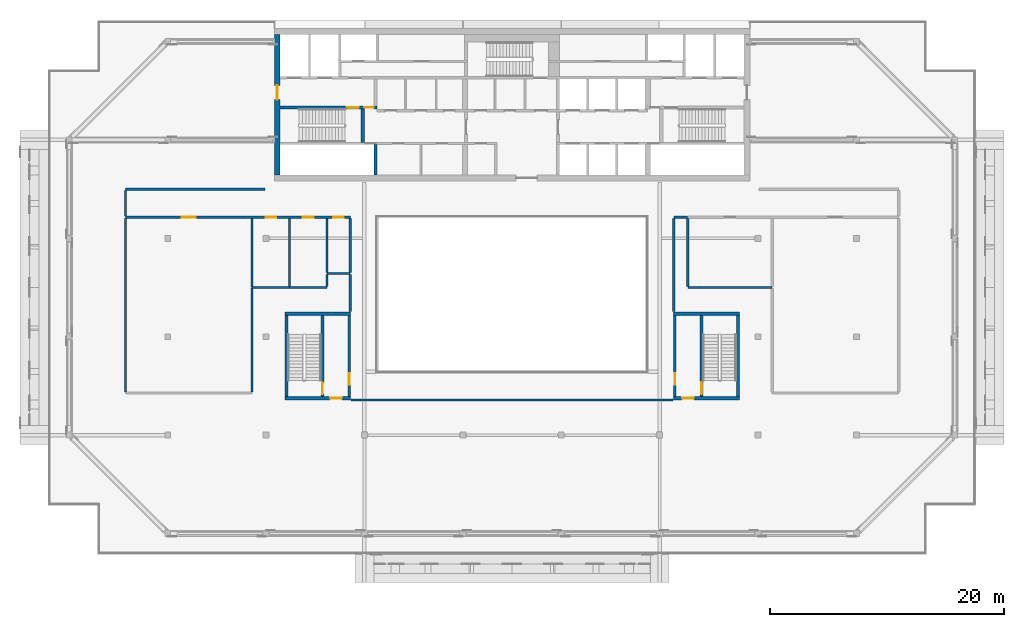
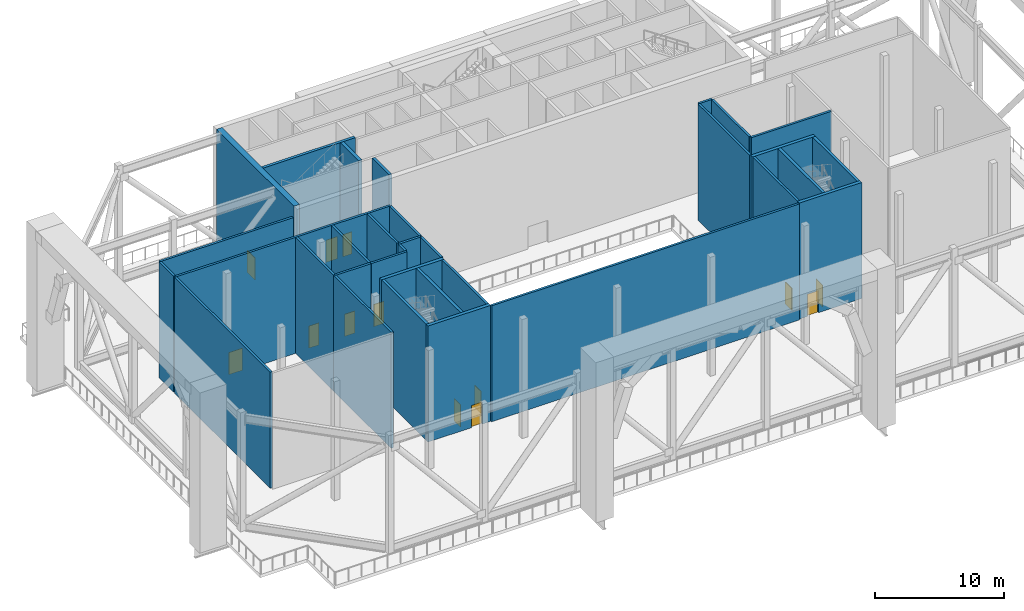
# One storey, part 4 of 20: 33 walls, 13 doors, 13 openings.
"""IFC4 building model written with IfcOpenShell, lengths in metres."""

from ifc_helpers import new_model, si_unit, direction, frame, frame_2d, origin, place, context, subcontext, project, spatial, rectangle, extrude, material, layer, layer_set, type_object, element, fill, save


model = new_model("IFC4")

# Units and contexts
model_context = context("Model", 3, precision=1e-05, world=origin(), true_north=direction((0.0, 1.0)))
body_context = subcontext(model_context, "Body", "Model", "MODEL_VIEW")
ifc_project = project(units=[si_unit("LENGTHUNIT", "METRE"), si_unit("AREAUNIT", "SQUARE_METRE"), si_unit("VOLUMEUNIT", "CUBIC_METRE"), si_unit("PLANEANGLEUNIT", "RADIAN"), si_unit("MASSUNIT", "GRAM", prefix="KILO")], contexts=[model_context])

# Site, building, storey
site_placement = place(None, origin())
site = spatial("IfcSite", under=ifc_project, at=site_placement, CompositionType="ELEMENT")
building_placement = place(site_placement, origin())
building = spatial("IfcBuilding", under=site, at=building_placement, Name="Saffron Gate Tower", CompositionType="ELEMENT")
storey_placement = place(building_placement, frame((0.0, 0.0, 252.300048828125)))
storey = spatial("IfcBuildingStorey", under=building, at=storey_placement, Name="L62", CompositionType="ELEMENT", Elevation=252.300048828125)

# Wall, opening, door
ifc_material_1 = material(Name="Gypsum board partition on steel studs", Category="steel")
ifc_layer_1 = layer(ifc_material_1, 0.199951171875)
ifc_layer_set_1 = layer_set([ifc_layer_1], Name="CW10 Core partition 200")
wall_type_1 = type_object("IfcWallType", Name="CW10 Core partition 200", PredefinedType="PARTITIONING", material=ifc_layer_set_1)
wall_1_placement = place(storey_placement, frame((73.699951171875, 43.5, 0.0), z_axis=(0.0, 0.0, 1.0), x_axis=(0.0, 1.0, 0.0)))
wall_1 = element("IfcWall", 1, at=wall_1_placement, inside=storey, type_object=wall_type_1, Name="Wall CW10-L62-D-4", PredefinedType="PARTITIONING", context=body_context, shape_type="SweptSolid", body=[
    extrude(rectangle(XDim=6.89990234375, YDim=0.199951171875, at=frame_2d((3.449951171875, 0.0))), origin(), (0.0, 0.0, 1.0), 10.969970703125),
])
opening_1_placement = place(wall_1_placement, frame((1.0, 0.0, 0.0)))
opening_1 = element("IfcOpeningElement", 2, at=opening_1_placement, cuts=wall_1, Name="Opening CR-19", PredefinedType="OPENING", context=body_context, shape_type="SweptSolid", body=[
    extrude(rectangle(XDim=1.0, YDim=2.10009765625, at=frame_2d((0.5, 1.050048828125))), frame((0.0, 0.10986328125, 0.0), z_axis=(0.0, -1.0, 0.0), x_axis=(1.0, 0.0, 0.0)), (0.0, 0.0, 1.0), 0.219970703125),
])
ifc_material_2 = material(Name="Steel fire door set", Category="steel")
door_type_1 = type_object("IfcDoorType", Name="CD4 Lobby door 1000x2100 EI 120", OperationType="NOTDEFINED", PredefinedType="DOOR", material=ifc_material_2)
door_1_placement = place(opening_1_placement, origin())
door_1 = element("IfcDoor", 3, at=door_1_placement, inside=storey, type_object=door_type_1, Name="DOOR CR-19", OperationType="SINGLE_SWING_RIGHT", OverallHeight=2.10009765625, OverallWidth=1.0, PredefinedType="DOOR", context=body_context, shape_type="SweptSolid", body=[
    extrude(rectangle(XDim=1.0, YDim=2.10009765625, at=frame_2d((0.5, 1.050048828125))), frame((0.0, 0.02490234375, 0.0), z_axis=(0.0, -1.0, 0.0), x_axis=(1.0, 0.0, 0.0)), (0.0, 0.0, 1.0), 0.050048828125),
])
fill(opening_1, door_1)

wall_2_placement = place(storey_placement, frame((101.5, 43.5, 0.0), z_axis=(0.0, 0.0, 1.0), x_axis=(0.0, 1.0, 0.0)))
wall_2 = element("IfcWall", 4, at=wall_2_placement, inside=storey, type_object=wall_type_1, Name="Wall CW10-L62-E-2", PredefinedType="PARTITIONING", context=body_context, shape_type="SweptSolid", body=[
    extrude(rectangle(XDim=6.89990234375, YDim=0.199951171875, at=frame_2d((3.449951171875, 0.0))), origin(), (0.0, 0.0, 1.0), 10.969970703125),
])
opening_2_placement = place(wall_2_placement, frame((1.0, 0.0, 0.0)))
opening_2 = element("IfcOpeningElement", 5, at=opening_2_placement, cuts=wall_2, Name="Opening CR-22", PredefinedType="OPENING", context=body_context, shape_type="SweptSolid", body=[
    extrude(rectangle(XDim=1.0, YDim=2.10009765625, at=frame_2d((0.5, 1.050048828125))), frame((0.0, 0.10986328125, 0.0), z_axis=(0.0, -1.0, 0.0), x_axis=(1.0, 0.0, 0.0)), (0.0, 0.0, 1.0), 0.219970703125),
])
door_2_placement = place(opening_2_placement, origin())
door_2 = element("IfcDoor", 6, at=door_2_placement, inside=storey, type_object=door_type_1, Name="DOOR CR-22", OperationType="SINGLE_SWING_LEFT", OverallHeight=2.10009765625, OverallWidth=1.0, PredefinedType="DOOR", context=body_context, shape_type="SweptSolid", body=[
    extrude(rectangle(XDim=1.0, YDim=2.10009765625, at=frame_2d((0.5, 1.050048828125))), frame((0.0, 0.02490234375, 0.0), z_axis=(0.0, -1.0, 0.0), x_axis=(1.0, 0.0, 0.0)), (0.0, 0.0, 1.0), 0.050048828125),
])
fill(opening_2, door_2)

ifc_material_3 = material(Name="Concrete C50", Category="concrete")
ifc_layer_2 = layer(ifc_material_3, 0.5)
ifc_layer_set_2 = layer_set([ifc_layer_2], Name="CW22 RC core wall 500 C50")
wall_type_2 = type_object("IfcWallType", Name="CW22 RC core wall 500 C50", PredefinedType="SOLIDWALL", material=ifc_layer_set_2)
wall_3_placement = place(storey_placement, frame((67.550048828125, 62.39990234375, 0.0), z_axis=(0.0, 0.0, 1.0), x_axis=(0.0, 1.0, 0.0)))
wall_3 = element("IfcWall", 7, at=wall_3_placement, inside=storey, type_object=wall_type_2, Name="Wall CW22-L62-3", PredefinedType="SOLIDWALL", context=body_context, shape_type="SweptSolid", body=[
    extrude(rectangle(XDim=12.0, YDim=0.5, at=frame_2d((6.0, 0.0))), origin(), (0.0, 0.0, 1.0), 10.969970703125),
])
opening_3_placement = place(wall_3_placement, frame((6.449951171875, 0.0, 0.0)))
opening_3 = element("IfcOpeningElement", 8, at=opening_3_placement, cuts=wall_3, Name="Opening CR-10", PredefinedType="OPENING", context=body_context, shape_type="SweptSolid", body=[
    extrude(rectangle(XDim=1.199951171875, YDim=2.10009765625, at=frame_2d((0.60009765625, 1.050048828125))), frame((0.0, 0.260009765625, 0.0), z_axis=(0.0, -1.0, 0.0), x_axis=(1.0, 0.0, 0.0)), (0.0, 0.0, 1.0), 0.52001953125),
])
door_type_2 = type_object("IfcDoorType", Name="CD7 Core entrance door 1200x2100 EI 120", OperationType="NOTDEFINED", PredefinedType="DOOR", material=ifc_material_2)
door_3_placement = place(opening_3_placement, origin())
door_3 = element("IfcDoor", 9, at=door_3_placement, inside=storey, type_object=door_type_2, Name="DOOR CR-10", OperationType="SINGLE_SWING_LEFT", OverallHeight=2.10009765625, OverallWidth=1.199951171875, PredefinedType="DOOR", context=body_context, shape_type="SweptSolid", body=[
    extrude(rectangle(XDim=1.199951171875, YDim=2.10009765625, at=frame_2d((0.60009765625, 1.050048828125))), frame((0.0, 0.02490234375, 0.0), z_axis=(0.0, -1.0, 0.0), x_axis=(1.0, 0.0, 0.0)), (0.0, 0.0, 1.0), 0.050048828125),
])
fill(opening_3, door_3)

# Wall
ifc_layer_3 = layer(ifc_material_3, 0.25)
ifc_layer_set_3 = layer_set([ifc_layer_3], Name="CW23 RC core wall 250 C50")
wall_type_3 = type_object("IfcWallType", Name="CW23 RC core wall 250 C50", PredefinedType="SOLIDWALL", material=ifc_layer_set_3)
wall_4_placement = place(storey_placement, frame((75.925048828125, 62.39990234375, 0.0), z_axis=(0.0, 0.0, 1.0), x_axis=(0.0, 1.0, 0.0)))
element("IfcWall", 10, at=wall_4_placement, inside=storey, type_object=wall_type_3, Name="Wall CW23-L62-5", PredefinedType="SOLIDWALL", context=body_context, shape_type="SweptSolid", body=[
    extrude(rectangle(XDim=2.60009765625, YDim=0.25, at=frame_2d((1.300048828125, 0.0))), origin(), (0.0, 0.0, 1.0), 10.969970703125),
])

# Wall, openings, doors
wall_5_placement = place(storey_placement, frame((67.800048828125, 68.175048828125, 0.0), z_axis=(0.0, 0.0, 1.0), x_axis=(1.0, 0.0, 0.0)))
wall_5 = element("IfcWall", 11, at=wall_5_placement, inside=storey, type_object=wall_type_3, Name="Wall CW23-L62-29", PredefinedType="SOLIDWALL", context=body_context, shape_type="SweptSolid", body=[
    extrude(rectangle(XDim=8.25, YDim=0.25, at=frame_2d((4.125, 0.0))), origin(), (0.0, 0.0, 1.0), 10.969970703125),
])
opening_4_placement = place(wall_5_placement, frame((5.699951171875, 0.0, 0.0)))
opening_4 = element("IfcOpeningElement", 12, at=opening_4_placement, cuts=wall_5, Name="Opening CR-15", PredefinedType="OPENING", context=body_context, shape_type="SweptSolid", body=[
    extrude(rectangle(XDim=1.0, YDim=2.10009765625, at=frame_2d((0.5, 1.050048828125))), frame((0.0, 0.135009765625, 0.0), z_axis=(0.0, -1.0, 0.0), x_axis=(1.0, 0.0, 0.0)), (0.0, 0.0, 1.0), 0.27001953125),
])
opening_5_placement = place(wall_5_placement, frame((7.199951171875, 0.0, 0.0)))
opening_5 = element("IfcOpeningElement", 13, at=opening_5_placement, cuts=wall_5, Name="Opening CR-06", PredefinedType="OPENING", context=body_context, shape_type="SweptSolid", body=[
    extrude(rectangle(XDim=0.800048828125, YDim=2.10009765625, at=frame_2d((0.39990234375, 1.050048828125))), frame((0.0, 0.135009765625, 0.0), z_axis=(0.0, -1.0, 0.0), x_axis=(1.0, 0.0, 0.0)), (0.0, 0.0, 1.0), 0.27001953125),
])
door_type_3 = type_object("IfcDoorType", Name="CD5 Stair door 1000x2100 EI 120", OperationType="NOTDEFINED", PredefinedType="DOOR", material=ifc_material_2)
door_4_placement = place(opening_4_placement, origin())
door_4 = element("IfcDoor", 14, at=door_4_placement, inside=storey, type_object=door_type_3, Name="DOOR CR-15", OperationType="SINGLE_SWING_RIGHT", OverallHeight=2.10009765625, OverallWidth=1.0, PredefinedType="DOOR", context=body_context, shape_type="SweptSolid", body=[
    extrude(rectangle(XDim=1.0, YDim=2.10009765625, at=frame_2d((0.5, 1.050048828125))), frame((0.0, 0.02490234375, 0.0), z_axis=(0.0, -1.0, 0.0), x_axis=(1.0, 0.0, 0.0)), (0.0, 0.0, 1.0), 0.050048828125),
])
fill(opening_4, door_4)
door_type_4 = type_object("IfcDoorType", Name="CD6 Lobby door 800x2100 EI 120", OperationType="NOTDEFINED", PredefinedType="DOOR", material=ifc_material_2)
door_5_placement = place(opening_5_placement, origin())
door_5 = element("IfcDoor", 15, at=door_5_placement, inside=storey, type_object=door_type_4, Name="DOOR CR-06", OperationType="SINGLE_SWING_LEFT", OverallHeight=2.10009765625, OverallWidth=0.800048828125, PredefinedType="DOOR", context=body_context, shape_type="SweptSolid", body=[
    extrude(rectangle(XDim=0.800048828125, YDim=2.10009765625, at=frame_2d((0.39990234375, 1.050048828125))), frame((0.0, 0.02490234375, 0.0), z_axis=(0.0, -1.0, 0.0), x_axis=(1.0, 0.0, 0.0)), (0.0, 0.0, 1.0), 0.050048828125),
])
fill(opening_5, door_5)

# Wall
wall_6_placement = place(storey_placement, frame((68.324951171875, 43.5, 0.0), z_axis=(0.0, 0.0, 1.0), x_axis=(0.0, 1.0, 0.0)))
element("IfcWall", 16, at=wall_6_placement, inside=storey, type_object=wall_type_3, Name="Wall CW23-L62-D-2", PredefinedType="SOLIDWALL", context=body_context, shape_type="SweptSolid", body=[
    extrude(rectangle(XDim=6.89990234375, YDim=0.25, at=frame_2d((3.449951171875, 0.0))), origin(), (0.0, 0.0, 1.0), 10.969970703125),
])

# Wall, opening, door
wall_7_placement = place(storey_placement, frame((71.425048828125, 43.5, 0.0), z_axis=(0.0, 0.0, 1.0), x_axis=(0.0, 1.0, 0.0)))
wall_7 = element("IfcWall", 17, at=wall_7_placement, inside=storey, type_object=wall_type_3, Name="Wall CW23-L62-D-3", PredefinedType="SOLIDWALL", context=body_context, shape_type="SweptSolid", body=[
    extrude(rectangle(XDim=6.89990234375, YDim=0.25, at=frame_2d((3.449951171875, 0.0))), origin(), (0.0, 0.0, 1.0), 10.969970703125),
])
opening_6_placement = place(wall_7_placement, frame((0.199951171875, 0.0, 0.0)))
opening_6 = element("IfcOpeningElement", 18, at=opening_6_placement, cuts=wall_7, Name="Opening CR-20", PredefinedType="OPENING", context=body_context, shape_type="SweptSolid", body=[
    extrude(rectangle(XDim=1.0, YDim=2.10009765625, at=frame_2d((0.5, 1.050048828125))), frame((0.0, 0.135009765625, 0.0), z_axis=(0.0, -1.0, 0.0), x_axis=(1.0, 0.0, 0.0)), (0.0, 0.0, 1.0), 0.27001953125),
])
door_6_placement = place(opening_6_placement, origin())
door_6 = element("IfcDoor", 19, at=door_6_placement, inside=storey, type_object=door_type_3, Name="DOOR CR-20", OperationType="SINGLE_SWING_LEFT", OverallHeight=2.10009765625, OverallWidth=1.0, PredefinedType="DOOR", context=body_context, shape_type="SweptSolid", body=[
    extrude(rectangle(XDim=1.0, YDim=2.10009765625, at=frame_2d((0.5, 1.050048828125))), frame((0.0, 0.02490234375, 0.0), z_axis=(0.0, -1.0, 0.0), x_axis=(1.0, 0.0, 0.0)), (0.0, 0.0, 1.0), 0.050048828125),
])
fill(opening_6, door_6)

wall_8_placement = place(storey_placement, frame((103.77490234375, 43.5, 0.0), z_axis=(0.0, 0.0, 1.0), x_axis=(0.0, 1.0, 0.0)))
wall_8 = element("IfcWall", 20, at=wall_8_placement, inside=storey, type_object=wall_type_3, Name="Wall CW23-L62-E-3", PredefinedType="SOLIDWALL", context=body_context, shape_type="SweptSolid", body=[
    extrude(rectangle(XDim=6.89990234375, YDim=0.25, at=frame_2d((3.449951171875, 0.0))), origin(), (0.0, 0.0, 1.0), 10.969970703125),
])
opening_7_placement = place(wall_8_placement, frame((0.199951171875, 0.0, 0.0)))
opening_7 = element("IfcOpeningElement", 21, at=opening_7_placement, cuts=wall_8, Name="Opening CR-23", PredefinedType="OPENING", context=body_context, shape_type="SweptSolid", body=[
    extrude(rectangle(XDim=1.0, YDim=2.10009765625, at=frame_2d((0.5, 1.050048828125))), frame((0.0, 0.135009765625, 0.0), z_axis=(0.0, -1.0, 0.0), x_axis=(1.0, 0.0, 0.0)), (0.0, 0.0, 1.0), 0.27001953125),
])
door_7_placement = place(opening_7_placement, origin())
door_7 = element("IfcDoor", 22, at=door_7_placement, inside=storey, type_object=door_type_3, Name="DOOR CR-23", OperationType="SINGLE_SWING_RIGHT", OverallHeight=2.10009765625, OverallWidth=1.0, PredefinedType="DOOR", context=body_context, shape_type="SweptSolid", body=[
    extrude(rectangle(XDim=1.0, YDim=2.10009765625, at=frame_2d((0.5, 1.050048828125))), frame((0.0, 0.02490234375, 0.0), z_axis=(0.0, -1.0, 0.0), x_axis=(1.0, 0.0, 0.0)), (0.0, 0.0, 1.0), 0.050048828125),
])
fill(opening_7, door_7)

# Walls
wall_9_placement = place(storey_placement, frame((106.875, 43.5, 0.0), z_axis=(0.0, 0.0, 1.0), x_axis=(0.0, 1.0, 0.0)))
element("IfcWall", 23, at=wall_9_placement, inside=storey, type_object=wall_type_3, Name="Wall CW23-L62-E-4", PredefinedType="SOLIDWALL", context=body_context, shape_type="SweptSolid", body=[
    extrude(rectangle(XDim=6.89990234375, YDim=0.25, at=frame_2d((3.449951171875, 0.0))), origin(), (0.0, 0.0, 1.0), 10.969970703125),
])
ifc_layer_4 = layer(ifc_material_3, 0.300048828125)
ifc_layer_set_4 = layer_set([ifc_layer_4], Name="CW26 RC core wall 300 C50")
wall_type_4 = type_object("IfcWallType", Name="CW26 RC core wall 300 C50", PredefinedType="SOLIDWALL", material=ifc_layer_set_4)
wall_10_placement = place(storey_placement, frame((74.85009765625, 65.199951171875, 0.0), z_axis=(0.0, 0.0, 1.0), x_axis=(0.0, 1.0, 0.0)))
element("IfcWall", 24, at=wall_10_placement, inside=storey, type_object=wall_type_4, Name="Wall CW26-L62-15", PredefinedType="SOLIDWALL", context=body_context, shape_type="SweptSolid", body=[
    extrude(rectangle(XDim=2.85009765625, YDim=0.300048828125, at=frame_2d((1.425048828125, 0.0))), origin(), (0.0, 0.0, 1.0), 10.969970703125),
])

# Wall, opening, door
wall_11_placement = place(storey_placement, frame((68.199951171875, 43.35009765625, 0.0), z_axis=(0.0, 0.0, 1.0), x_axis=(1.0, 0.0, 0.0)))
wall_11 = element("IfcWall", 25, at=wall_11_placement, inside=storey, type_object=wall_type_4, Name="Wall CW26-L62-D-1", PredefinedType="SOLIDWALL", context=body_context, shape_type="SweptSolid", body=[
    extrude(rectangle(XDim=5.60009765625, YDim=0.300048828125, at=frame_2d((2.800048828125, 0.0))), origin(), (0.0, 0.0, 1.0), 10.969970703125),
])
opening_8_placement = place(wall_11_placement, frame((3.875, 0.0, 0.0)))
opening_8 = element("IfcOpeningElement", 26, at=opening_8_placement, cuts=wall_11, Name="Opening CR-18", PredefinedType="OPENING", context=body_context, shape_type="SweptSolid", body=[
    extrude(rectangle(XDim=1.0, YDim=2.10009765625, at=frame_2d((0.5, 1.050048828125))), frame((0.0, 0.16015625, 0.0), z_axis=(0.0, -1.0, 0.0), x_axis=(1.0, 0.0, 0.0)), (0.0, 0.0, 1.0), 0.320068359375),
])
door_8_placement = place(opening_8_placement, origin())
door_8 = element("IfcDoor", 27, at=door_8_placement, inside=storey, type_object=door_type_1, Name="DOOR CR-18", OperationType="SINGLE_SWING_RIGHT", OverallHeight=2.10009765625, OverallWidth=1.0, PredefinedType="DOOR", context=body_context, shape_type="SweptSolid", body=[
    extrude(rectangle(XDim=1.0, YDim=2.10009765625, at=frame_2d((0.5, 1.050048828125))), frame((0.0, 0.02490234375, 0.0), z_axis=(0.0, -1.0, 0.0), x_axis=(1.0, 0.0, 0.0)), (0.0, 0.0, 1.0), 0.050048828125),
])
fill(opening_8, door_8)

# Wall
wall_12_placement = place(storey_placement, frame((68.199951171875, 50.550048828125, 0.0), z_axis=(0.0, 0.0, 1.0), x_axis=(1.0, 0.0, 0.0)))
element("IfcWall", 28, at=wall_12_placement, inside=storey, type_object=wall_type_4, Name="Wall CW26-L62-D-5", PredefinedType="SOLIDWALL", context=body_context, shape_type="SweptSolid", body=[
    extrude(rectangle(XDim=5.60009765625, YDim=0.300048828125, at=frame_2d((2.800048828125, 0.0))), origin(), (0.0, 0.0, 1.0), 10.969970703125),
])

# Wall, opening, door
wall_13_placement = place(storey_placement, frame((101.39990234375, 43.35009765625, 0.0), z_axis=(0.0, 0.0, 1.0), x_axis=(1.0, 0.0, 0.0)))
wall_13 = element("IfcWall", 29, at=wall_13_placement, inside=storey, type_object=wall_type_4, Name="Wall CW26-L62-E-1", PredefinedType="SOLIDWALL", context=body_context, shape_type="SweptSolid", body=[
    extrude(rectangle(XDim=5.60009765625, YDim=0.300048828125, at=frame_2d((2.800048828125, 0.0))), origin(), (0.0, 0.0, 1.0), 10.969970703125),
])
opening_9_placement = place(wall_13_placement, frame((0.72509765625, 0.0, 0.0)))
opening_9 = element("IfcOpeningElement", 30, at=opening_9_placement, cuts=wall_13, Name="Opening CR-21", PredefinedType="OPENING", context=body_context, shape_type="SweptSolid", body=[
    extrude(rectangle(XDim=1.0, YDim=2.10009765625, at=frame_2d((0.5, 1.050048828125))), frame((0.0, 0.16015625, 0.0), z_axis=(0.0, -1.0, 0.0), x_axis=(1.0, 0.0, 0.0)), (0.0, 0.0, 1.0), 0.320068359375),
])
door_9_placement = place(opening_9_placement, origin())
door_9 = element("IfcDoor", 31, at=door_9_placement, inside=storey, type_object=door_type_1, Name="DOOR CR-21", OperationType="SINGLE_SWING_RIGHT", OverallHeight=2.10009765625, OverallWidth=1.0, PredefinedType="DOOR", context=body_context, shape_type="SweptSolid", body=[
    extrude(rectangle(XDim=1.0, YDim=2.10009765625, at=frame_2d((0.5, 1.050048828125))), frame((0.0, 0.02490234375, 0.0), z_axis=(0.0, -1.0, 0.0), x_axis=(1.0, 0.0, 0.0)), (0.0, 0.0, 1.0), 0.050048828125),
])
fill(opening_9, door_9)

# Walls
wall_14_placement = place(storey_placement, frame((101.39990234375, 50.550048828125, 0.0), z_axis=(0.0, 0.0, 1.0), x_axis=(1.0, 0.0, 0.0)))
element("IfcWall", 32, at=wall_14_placement, inside=storey, type_object=wall_type_4, Name="Wall CW26-L62-E-5", PredefinedType="SOLIDWALL", context=body_context, shape_type="SweptSolid", body=[
    extrude(rectangle(XDim=5.60009765625, YDim=0.300048828125, at=frame_2d((2.800048828125, 0.0))), origin(), (0.0, 0.0, 1.0), 10.969970703125),
])
ifc_material_4 = material(Name="Clay brick masonry, rendered", Category="masonry")
ifc_layer_5 = layer(ifc_material_4, 0.199951171875)
ifc_layer_set_5 = layer_set([ifc_layer_5], Name="PW2 Demising wall 200")
wall_type_5 = type_object("IfcWallType", Name="PW2 Demising wall 200", PredefinedType="PARTITIONING", material=ifc_layer_set_5)
wall_15_placement = place(storey_placement, frame((68.60009765625, 58.699951171875, 0.0), z_axis=(0.0, 0.0, 1.0), x_axis=(0.0, -1.0, 0.0)))
element("IfcWall", 33, at=wall_15_placement, inside=storey, type_object=wall_type_5, Name="Wall X3-17", PredefinedType="PARTITIONING", context=body_context, shape_type="SweptSolid", body=[
    extrude(rectangle(XDim=5.800048828125, YDim=0.199951171875, at=frame_2d((2.89990234375, 0.0))), origin(), (0.0, 0.0, 1.0), 10.969970703125),
])
wall_16_placement = place(storey_placement, frame((71.800048828125, 58.699951171875, 0.0), z_axis=(0.0, 0.0, 1.0), x_axis=(0.0, -1.0, 0.0)))
element("IfcWall", 34, at=wall_16_placement, inside=storey, type_object=wall_type_5, Name="Wall X3-18", PredefinedType="PARTITIONING", context=body_context, shape_type="SweptSolid", body=[
    extrude(rectangle(XDim=4.599853515625, YDim=0.199951171875, at=frame_2d((2.2998046875, 0.0))), origin(), (0.0, 0.0, 1.0), 10.969970703125),
])

# Wall, openings, doors
ifc_layer_6 = layer(ifc_material_4, 0.199951171875)
ifc_layer_set_6 = layer_set([ifc_layer_6], Name="PW3 Corridor wall 200")
wall_type_6 = type_object("IfcWallType", Name="PW3 Corridor wall 200", PredefinedType="PARTITIONING", material=ifc_layer_set_6)
wall_17_placement = place(storey_placement, frame((73.800048828125, 58.800048828125, 0.0), z_axis=(0.0, 0.0, 1.0), x_axis=(-1.0, 0.0, 0.0)))
wall_17 = element("IfcWall", 35, at=wall_17_placement, inside=storey, type_object=wall_type_6, Name="Wall X3-8", PredefinedType="PARTITIONING", context=body_context, shape_type="SweptSolid", body=[
    extrude(rectangle(XDim=19.199951171875, YDim=0.199951171875, at=frame_2d((9.60009765625, 0.0))), origin(), (0.0, 0.0, 1.0), 10.969970703125),
])
opening_10_placement = place(wall_17_placement, frame((0.550048828125, 0.0, 0.0)))
opening_10 = element("IfcOpeningElement", 36, at=opening_10_placement, cuts=wall_17, Name="Opening X3-2", PredefinedType="OPENING", context=body_context, shape_type="SweptSolid", body=[
    extrude(rectangle(XDim=0.89990234375, YDim=2.10009765625, at=frame_2d((0.449951171875, 1.050048828125))), frame((0.0, 0.10986328125, 0.0), z_axis=(0.0, -1.0, 0.0), x_axis=(1.0, 0.0, 0.0)), (0.0, 0.0, 1.0), 0.219970703125),
])
opening_11_placement = place(wall_17_placement, frame((3.14990234375, 0.0, 0.0)))
opening_11 = element("IfcOpeningElement", 37, at=opening_11_placement, cuts=wall_17, Name="Opening X3-3", PredefinedType="OPENING", context=body_context, shape_type="SweptSolid", body=[
    extrude(rectangle(XDim=0.89990234375, YDim=2.10009765625, at=frame_2d((0.449951171875, 1.050048828125))), frame((0.0, 0.10986328125, 0.0), z_axis=(0.0, -1.0, 0.0), x_axis=(1.0, 0.0, 0.0)), (0.0, 0.0, 1.0), 0.219970703125),
])
opening_12_placement = place(wall_17_placement, frame((6.35009765625, 0.0, 0.0)))
opening_12 = element("IfcOpeningElement", 38, at=opening_12_placement, cuts=wall_17, Name="Opening X3-4", PredefinedType="OPENING", context=body_context, shape_type="SweptSolid", body=[
    extrude(rectangle(XDim=0.89990234375, YDim=2.10009765625, at=frame_2d((0.449951171875, 1.050048828125))), frame((0.0, 0.10986328125, 0.0), z_axis=(0.0, -1.0, 0.0), x_axis=(1.0, 0.0, 0.0)), (0.0, 0.0, 1.0), 0.219970703125),
])
opening_13_placement = place(wall_17_placement, frame((13.199951171875, 0.0, 0.0)))
opening_13 = element("IfcOpeningElement", 39, at=opening_13_placement, cuts=wall_17, Name="Opening X3-6", PredefinedType="OPENING", context=body_context, shape_type="SweptSolid", body=[
    extrude(rectangle(XDim=1.199951171875, YDim=2.10009765625, at=frame_2d((0.60009765625, 1.050048828125))), frame((0.0, 0.10986328125, 0.0), z_axis=(0.0, -1.0, 0.0), x_axis=(1.0, 0.0, 0.0)), (0.0, 0.0, 1.0), 0.219970703125),
])
ifc_material_5 = material(Name="Timber door set", Category="wood")
door_type_5 = type_object("IfcDoorType", Name="HD1 Hall door 1200x2100", OperationType="NOTDEFINED", PredefinedType="DOOR", material=ifc_material_5)
door_10_placement = place(opening_13_placement, origin())
door_10 = element("IfcDoor", 40, at=door_10_placement, inside=storey, type_object=door_type_5, Name="Door X3-6", OperationType="SINGLE_SWING_LEFT", OverallHeight=2.10009765625, OverallWidth=1.199951171875, PredefinedType="DOOR", context=body_context, shape_type="SweptSolid", body=[
    extrude(rectangle(XDim=1.199951171875, YDim=2.10009765625, at=frame_2d((0.60009765625, 1.050048828125))), frame((0.0, 0.02490234375, 0.0), z_axis=(0.0, -1.0, 0.0), x_axis=(1.0, 0.0, 0.0)), (0.0, 0.0, 1.0), 0.050048828125),
])
fill(opening_13, door_10)
door_type_6 = type_object("IfcDoorType", Name="RD1 Room door 900x2100", OperationType="NOTDEFINED", PredefinedType="DOOR", material=ifc_material_5)
door_11_placement = place(opening_10_placement, origin())
door_11 = element("IfcDoor", 41, at=door_11_placement, inside=storey, type_object=door_type_6, Name="Door X3-2", OperationType="SINGLE_SWING_RIGHT", OverallHeight=2.10009765625, OverallWidth=0.89990234375, PredefinedType="DOOR", context=body_context, shape_type="SweptSolid", body=[
    extrude(rectangle(XDim=0.89990234375, YDim=2.10009765625, at=frame_2d((0.449951171875, 1.050048828125))), frame((0.0, 0.02490234375, 0.0), z_axis=(0.0, -1.0, 0.0), x_axis=(1.0, 0.0, 0.0)), (0.0, 0.0, 1.0), 0.050048828125),
])
fill(opening_10, door_11)
door_12_placement = place(opening_11_placement, origin())
door_12 = element("IfcDoor", 42, at=door_12_placement, inside=storey, type_object=door_type_6, Name="Door X3-3", OperationType="SINGLE_SWING_LEFT", OverallHeight=2.10009765625, OverallWidth=0.89990234375, PredefinedType="DOOR", context=body_context, shape_type="SweptSolid", body=[
    extrude(rectangle(XDim=0.89990234375, YDim=2.10009765625, at=frame_2d((0.449951171875, 1.050048828125))), frame((0.0, 0.02490234375, 0.0), z_axis=(0.0, -1.0, 0.0), x_axis=(1.0, 0.0, 0.0)), (0.0, 0.0, 1.0), 0.050048828125),
])
fill(opening_11, door_12)
door_13_placement = place(opening_12_placement, origin())
door_13 = element("IfcDoor", 43, at=door_13_placement, inside=storey, type_object=door_type_6, Name="Door X3-4", OperationType="SINGLE_SWING_RIGHT", OverallHeight=2.10009765625, OverallWidth=0.89990234375, PredefinedType="DOOR", context=body_context, shape_type="SweptSolid", body=[
    extrude(rectangle(XDim=0.89990234375, YDim=2.10009765625, at=frame_2d((0.449951171875, 1.050048828125))), frame((0.0, 0.02490234375, 0.0), z_axis=(0.0, -1.0, 0.0), x_axis=(1.0, 0.0, 0.0)), (0.0, 0.0, 1.0), 0.050048828125),
])
fill(opening_12, door_13)

# Walls
wall_18_placement = place(storey_placement, frame((73.800048828125, 58.699951171875, 0.0), z_axis=(0.0, 0.0, 1.0), x_axis=(0.0, -1.0, 0.0)))
element("IfcWall", 44, at=wall_18_placement, inside=storey, type_object=wall_type_6, Name="Wall X3-20", PredefinedType="PARTITIONING", context=body_context, shape_type="SweptSolid", body=[
    extrude(rectangle(XDim=4.599853515625, YDim=0.199951171875, at=frame_2d((2.2998046875, 0.0))), origin(), (0.0, 0.0, 1.0), 10.969970703125),
])
ifc_layer_7 = layer(ifc_material_4, 0.199951171875)
ifc_layer_set_7 = layer_set([ifc_layer_7], Name="PW5 Room wall 200")
wall_type_7 = type_object("IfcWallType", Name="PW5 Room wall 200", PredefinedType="PARTITIONING", material=ifc_layer_set_7)
wall_19_placement = place(storey_placement, frame((73.85009765625, 43.199951171875, 0.0), z_axis=(0.0, 0.0, 1.0), x_axis=(1.0, 0.0, 0.0)))
element("IfcWall", 45, at=wall_19_placement, inside=storey, type_object=wall_type_7, Name="Wall X3-1", PredefinedType="PARTITIONING", context=body_context, shape_type="SweptSolid", body=[
    extrude(rectangle(XDim=27.5, YDim=0.199951171875, at=frame_2d((13.75, 0.0))), origin(), (0.0, 0.0, 1.0), 10.969970703125),
])
wall_20_placement = place(storey_placement, frame((65.419921875, 52.800048828125, 0.0), z_axis=(0.0, 0.0, 1.0), x_axis=(1.0, 0.0, 0.0)))
element("IfcWall", 46, at=wall_20_placement, inside=storey, type_object=wall_type_7, Name="Wall X3-4", PredefinedType="PARTITIONING", context=body_context, shape_type="SweptSolid", body=[
    extrude(rectangle(XDim=3.16015625, YDim=0.199951171875, at=frame_2d((1.580078125, 0.0))), origin(), (0.0, 0.0, 1.0), 10.969970703125),
])
wall_21_placement = place(storey_placement, frame((68.6201171875, 52.800048828125, 0.0), z_axis=(0.0, 0.0, 1.0), x_axis=(1.0, 0.0, 0.0)))
element("IfcWall", 47, at=wall_21_placement, inside=storey, type_object=wall_type_7, Name="Wall X3-5", PredefinedType="PARTITIONING", context=body_context, shape_type="SweptSolid", body=[
    extrude(rectangle(XDim=3.179931640625, YDim=0.199951171875, at=frame_2d((1.58984375, 0.0))), origin(), (0.0, 0.0, 1.0), 10.969970703125),
])
wall_22_placement = place(storey_placement, frame((102.60009765625, 52.800048828125, 0.0), z_axis=(0.0, 0.0, 1.0), x_axis=(1.0, 0.0, 0.0)))
element("IfcWall", 48, at=wall_22_placement, inside=storey, type_object=wall_type_7, Name="Wall X3-6", PredefinedType="PARTITIONING", context=body_context, shape_type="SweptSolid", body=[
    extrude(rectangle(XDim=7.179931640625, YDim=0.199951171875, at=frame_2d((3.58984375, 0.0))), origin(), (0.0, 0.0, 1.0), 10.969970703125),
])
wall_23_placement = place(storey_placement, frame((71.820068359375, 54.0, 0.0), z_axis=(0.0, 0.0, 1.0), x_axis=(1.0, 0.0, 0.0)))
element("IfcWall", 49, at=wall_23_placement, inside=storey, type_object=wall_type_7, Name="Wall X3-7", PredefinedType="PARTITIONING", context=body_context, shape_type="SweptSolid", body=[
    extrude(rectangle(XDim=1.9599609375, YDim=0.199951171875, at=frame_2d((0.97998046875, 0.0))), origin(), (0.0, 0.0, 1.0), 10.969970703125),
])
wall_24_placement = place(storey_placement, frame((101.419921875, 58.800048828125, 0.0), z_axis=(0.0, 0.0, 1.0), x_axis=(1.0, 0.0, 0.0)))
element("IfcWall", 50, at=wall_24_placement, inside=storey, type_object=wall_type_7, Name="Wall X3-10", PredefinedType="PARTITIONING", context=body_context, shape_type="SweptSolid", body=[
    extrude(rectangle(XDim=1.16015625, YDim=0.199951171875, at=frame_2d((0.580078125, 0.0))), origin(), (0.0, 0.0, 1.0), 10.969970703125),
])
wall_25_placement = place(storey_placement, frame((54.60009765625, 61.199951171875, 0.0), z_axis=(0.0, 0.0, 1.0), x_axis=(1.0, 0.0, 0.0)))
element("IfcWall", 51, at=wall_25_placement, inside=storey, type_object=wall_type_7, Name="Wall X3-11", PredefinedType="PARTITIONING", context=body_context, shape_type="SweptSolid", body=[
    extrude(rectangle(XDim=11.89990234375, YDim=0.199951171875, at=frame_2d((5.949951171875, 0.0))), origin(), (0.0, 0.0, 1.0), 10.969970703125),
])
wall_26_placement = place(storey_placement, frame((54.60009765625, 58.699951171875, 0.0), z_axis=(0.0, 0.0, 1.0), x_axis=(0.0, -1.0, 0.0)))
element("IfcWall", 52, at=wall_26_placement, inside=storey, type_object=wall_type_7, Name="Wall X3-13", PredefinedType="PARTITIONING", context=body_context, shape_type="SweptSolid", body=[
    extrude(rectangle(XDim=14.800048828125, YDim=0.199951171875, at=frame_2d((7.39990234375, 0.0))), origin(), (0.0, 0.0, 1.0), 10.969970703125),
])
wall_27_placement = place(storey_placement, frame((54.60009765625, 61.10009765625, 0.0), z_axis=(0.0, 0.0, 1.0), x_axis=(0.0, -1.0, 0.0)))
element("IfcWall", 53, at=wall_27_placement, inside=storey, type_object=wall_type_7, Name="Wall X3-14", PredefinedType="PARTITIONING", context=body_context, shape_type="SweptSolid", body=[
    extrude(rectangle(XDim=2.2001953125, YDim=0.199951171875, at=frame_2d((1.10009765625, 0.0))), origin(), (0.0, 0.0, 1.0), 10.969970703125),
])
wall_28_placement = place(storey_placement, frame((65.39990234375, 52.780029296875, 0.0), z_axis=(0.0, 0.0, 1.0), x_axis=(0.0, -1.0, 0.0)))
element("IfcWall", 54, at=wall_28_placement, inside=storey, type_object=wall_type_7, Name="Wall X3-15", PredefinedType="PARTITIONING", context=body_context, shape_type="SweptSolid", body=[
    extrude(rectangle(XDim=8.880126953125, YDim=0.199951171875, at=frame_2d((4.43994140625, 0.0))), origin(), (0.0, 0.0, 1.0), 10.969970703125),
])
wall_29_placement = place(storey_placement, frame((65.39990234375, 58.699951171875, 0.0), z_axis=(0.0, 0.0, 1.0), x_axis=(0.0, -1.0, 0.0)))
element("IfcWall", 55, at=wall_29_placement, inside=storey, type_object=wall_type_7, Name="Wall X3-16", PredefinedType="PARTITIONING", context=body_context, shape_type="SweptSolid", body=[
    extrude(rectangle(XDim=5.89990234375, YDim=0.199951171875, at=frame_2d((2.949951171875, 0.0))), origin(), (0.0, 0.0, 1.0), 10.969970703125),
])
wall_30_placement = place(storey_placement, frame((71.800048828125, 53.89990234375, 0.0), z_axis=(0.0, 0.0, 1.0), x_axis=(0.0, -1.0, 0.0)))
element("IfcWall", 56, at=wall_30_placement, inside=storey, type_object=wall_type_7, Name="Wall X3-19", PredefinedType="PARTITIONING", context=body_context, shape_type="SweptSolid", body=[
    extrude(rectangle(XDim=1.0, YDim=0.199951171875, at=frame_2d((0.5, 0.0))), origin(), (0.0, 0.0, 1.0), 10.969970703125),
])
wall_31_placement = place(storey_placement, frame((73.800048828125, 53.89990234375, 0.0), z_axis=(0.0, 0.0, 1.0), x_axis=(0.0, -1.0, 0.0)))
element("IfcWall", 57, at=wall_31_placement, inside=storey, type_object=wall_type_7, Name="Wall X3-21", PredefinedType="PARTITIONING", context=body_context, shape_type="SweptSolid", body=[
    extrude(rectangle(XDim=3.14990234375, YDim=0.199951171875, at=frame_2d((1.574951171875, 0.0))), origin(), (0.0, 0.0, 1.0), 10.969970703125),
])
wall_32_placement = place(storey_placement, frame((101.39990234375, 58.699951171875, 0.0), z_axis=(0.0, 0.0, 1.0), x_axis=(0.0, -1.0, 0.0)))
element("IfcWall", 58, at=wall_32_placement, inside=storey, type_object=wall_type_7, Name="Wall X3-22", PredefinedType="PARTITIONING", context=body_context, shape_type="SweptSolid", body=[
    extrude(rectangle(XDim=7.949951171875, YDim=0.199951171875, at=frame_2d((3.97509765625, 0.0))), origin(), (0.0, 0.0, 1.0), 10.969970703125),
])
wall_33_placement = place(storey_placement, frame((102.60009765625, 58.699951171875, 0.0), z_axis=(0.0, 0.0, 1.0), x_axis=(0.0, -1.0, 0.0)))
element("IfcWall", 59, at=wall_33_placement, inside=storey, type_object=wall_type_7, Name="Wall X3-23", PredefinedType="PARTITIONING", context=body_context, shape_type="SweptSolid", body=[
    extrude(rectangle(XDim=5.800048828125, YDim=0.199951171875, at=frame_2d((2.89990234375, 0.0))), origin(), (0.0, 0.0, 1.0), 10.969970703125),
])

save(model, "model.ifc")
